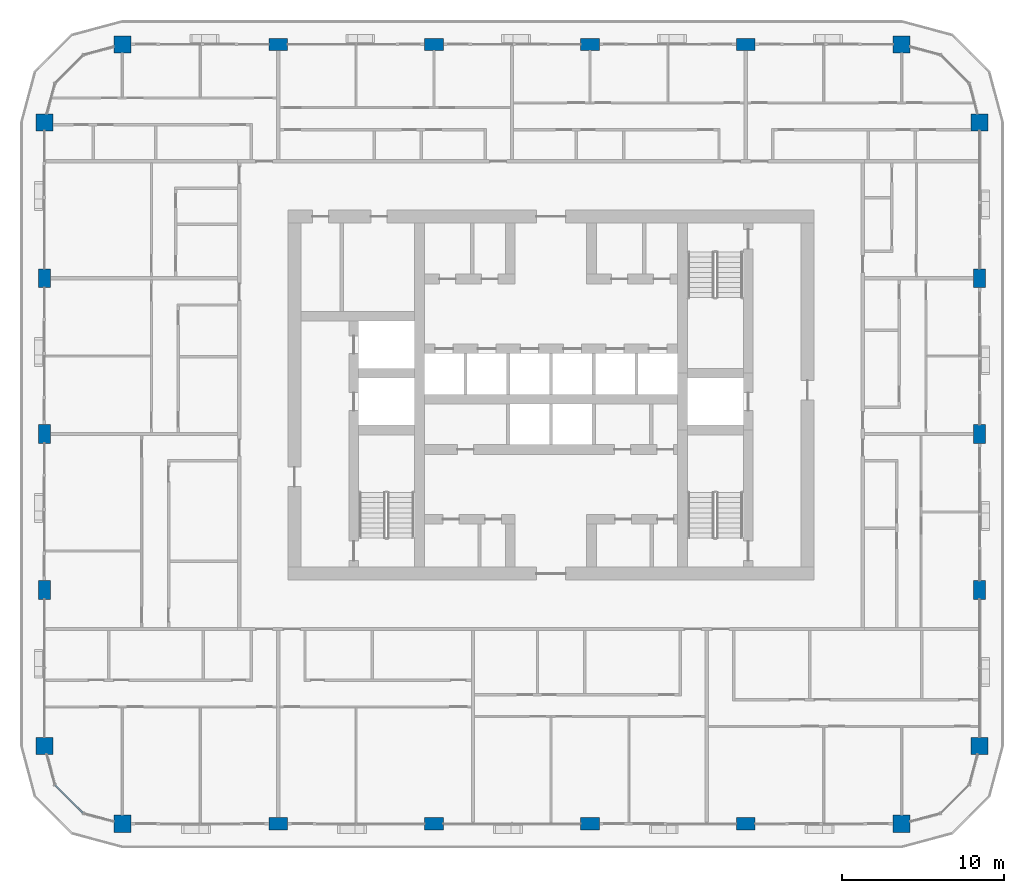
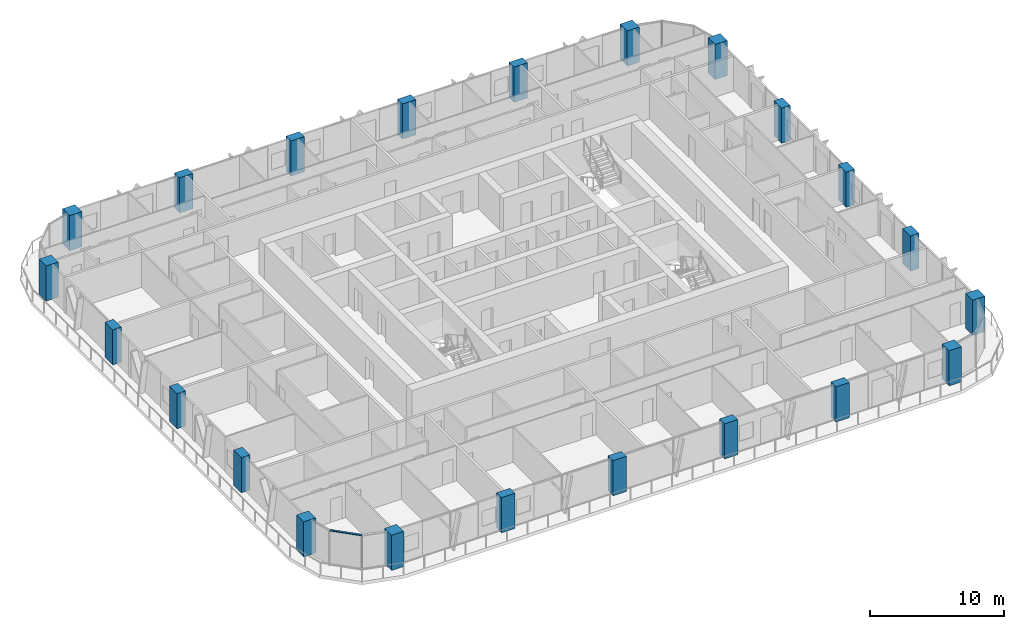
# One storey, part 1 of 22: 22 columns, 1 member, 1 element without a shape of its own.
"""IFC4 building model written with IfcOpenShell, lengths in metres."""

from ifc_helpers import new_model, si_unit, direction, frame, origin, origin_2d, place, context, subcontext, project, spatial, rectangle, extrude, material, layer, layer_set, material_profile, profile_set, type_object, element, aggregate, save


model = new_model("IFC4")

# Units and contexts
model_context = context("Model", 3, precision=1e-05, world=origin(), true_north=direction((0.0, 1.0)))
body_context = subcontext(model_context, "Body", "Model", "MODEL_VIEW")
ifc_project = project(units=[si_unit("LENGTHUNIT", "METRE"), si_unit("AREAUNIT", "SQUARE_METRE"), si_unit("VOLUMEUNIT", "CUBIC_METRE"), si_unit("PLANEANGLEUNIT", "RADIAN"), si_unit("MASSUNIT", "GRAM", prefix="KILO")], contexts=[model_context])

# Site, building, storey
site_placement = place(None, origin())
site = spatial("IfcSite", under=ifc_project, at=site_placement, CompositionType="ELEMENT")
building_placement = place(site_placement, origin())
building = spatial("IfcBuilding", under=site, at=building_placement, Name="Madar Terraces", CompositionType="ELEMENT")
storey_placement = place(building_placement, frame((0.0, 0.0, 149.0)))
storey = spatial("IfcBuildingStorey", under=building, at=storey_placement, Name="L38", CompositionType="ELEMENT", Elevation=149.0)

# Columns
ifc_material_1 = material(Name="Concrete C70/85", Category="concrete")
ifc_material_profile_1 = material_profile(ifc_material_1, rectangle(XDim=1.14990234375, YDim=0.75, at=origin_2d()), Name="CC3 RC 1150x750")
ifc_profile_set_1 = profile_set([ifc_material_profile_1], Name="Concrete C70/85")
column_type_1 = type_object("IfcColumnType", Name="CC3 RC 1150x750", PredefinedType="COLUMN", material=ifc_profile_set_1)
for number, where, z_axis, x_axis, name in (
    (1, (14.39990234375, 0.0, 0.0), (0.0, 0.0, 1.0), (1.0, 0.0, 0.0), "Perimeter column S2"),
    (2, (24.0, 0.0, 0.0), (0.0, 0.0, 1.0), (1.0, 0.0, 0.0), "Perimeter column S3"),
    (3, (33.60009765625, 0.0, 0.0), (0.0, 0.0, 1.0), (1.0, 0.0, 0.0), "Perimeter column S4"),
    (4, (43.199951171875, 0.0, 0.0), (0.0, 0.0, 1.0), (1.0, 0.0, 0.0), "Perimeter column S5"),
    (5, (57.60009765625, 14.39990234375, 0.0), (0.0, 0.0, 1.0), (0.0, 1.0, 0.0), "Perimeter column E2"),
    (6, (57.60009765625, 24.0, 0.0), (0.0, 0.0, 1.0), (0.0, 1.0, 0.0), "Perimeter column E3"),
    (7, (57.60009765625, 33.60009765625, 0.0), (0.0, 0.0, 1.0), (0.0, 1.0, 0.0), "Perimeter column E4"),
    (8, (43.199951171875, 48.0, 0.0), (0.0, 0.0, 1.0), (1.0, 0.0, 0.0), "Perimeter column N2"),
    (9, (33.60009765625, 48.0, 0.0), (0.0, 0.0, 1.0), (1.0, 0.0, 0.0), "Perimeter column N3"),
    (10, (24.0, 48.0, 0.0), (0.0, 0.0, 1.0), (1.0, 0.0, 0.0), "Perimeter column N4"),
    (11, (14.39990234375, 48.0, 0.0), (0.0, 0.0, 1.0), (1.0, 0.0, 0.0), "Perimeter column N5"),
    (12, (0.0, 33.60009765625, 0.0), (0.0, 0.0, 1.0), (0.0, 1.0, 0.0), "Perimeter column W2"),
    (13, (0.0, 24.0, 0.0), (0.0, 0.0, 1.0), (0.0, 1.0, 0.0), "Perimeter column W3"),
    (14, (0.0, 14.39990234375, 0.0), (0.0, 0.0, 1.0), (0.0, 1.0, 0.0), "Perimeter column W4"),
):
    element("IfcColumn", number, at=place(storey_placement, frame(where, z_axis=z_axis, x_axis=x_axis)), inside=storey, type_object=column_type_1, Name=name, PredefinedType="COLUMN", context=body_context, shape_type="SweptSolid", body=[
        extrude(rectangle(XDim=1.14990234375, YDim=0.75, at=origin_2d()), origin(), (0.0, 0.0, 1.0), 3.199951171875),
    ])
ifc_material_2 = material(Name="Concrete C70/85", Category="concrete")
ifc_material_profile_2 = material_profile(ifc_material_2, rectangle(XDim=1.050048828125, YDim=1.050048828125, at=origin_2d()), Name="KC3 RC 1050x1050")
ifc_profile_set_2 = profile_set([ifc_material_profile_2], Name="Concrete C70/85")
column_type_2 = type_object("IfcColumnType", Name="KC3 RC 1050x1050", PredefinedType="COLUMN", material=ifc_profile_set_2)
for number, where, z_axis, x_axis, name in (
    (15, (4.800048828125, 0.0, 0.0), (0.0, 0.0, 1.0), (1.0, 0.0, 0.0), "Perimeter column S1"),
    (16, (52.800048828125, 0.0, 0.0), (0.0, 0.0, 1.0), (1.0, 0.0, 0.0), "Perimeter column S6"),
    (17, (57.60009765625, 4.800048828125, 0.0), (0.0, 0.0, 1.0), (1.0, 0.0, 0.0), "Perimeter column E1"),
    (18, (57.60009765625, 43.199951171875, 0.0), (0.0, 0.0, 1.0), (1.0, 0.0, 0.0), "Perimeter column E5"),
    (19, (52.800048828125, 48.0, 0.0), (0.0, 0.0, 1.0), (1.0, 0.0, 0.0), "Perimeter column N1"),
    (20, (4.800048828125, 48.0, 0.0), (0.0, 0.0, 1.0), (1.0, 0.0, 0.0), "Perimeter column N6"),
    (21, (0.0, 43.199951171875, 0.0), (0.0, 0.0, 1.0), (1.0, 0.0, 0.0), "Perimeter column W1"),
    (22, (0.0, 4.800048828125, 0.0), (0.0, 0.0, 1.0), (1.0, 0.0, 0.0), "Perimeter column W5"),
):
    element("IfcColumn", number, at=place(storey_placement, frame(where, z_axis=z_axis, x_axis=x_axis)), inside=storey, type_object=column_type_2, Name=name, PredefinedType="COLUMN", context=body_context, shape_type="SweptSolid", body=[
        extrude(rectangle(XDim=1.050048828125, YDim=1.050048828125, at=origin_2d()), origin(), (0.0, 0.0, 1.0), 3.199951171875),
    ])

# Curtain wall, member
ifc_material_3 = material(Name="Glass, ceramic frit dark grey, with black aluminium frame", Category="aluminium")
ifc_layer = layer(ifc_material_3, 0.199951171875)
ifc_layer_set = layer_set([ifc_layer], Name="Facade curtain wall, fritted glass")
curtain_wall_type = type_object("IfcCurtainWallType", Name="Facade curtain wall, fritted glass", PredefinedType="NOTDEFINED", material=ifc_layer_set)
curtain_wall_placement = place(storey_placement, origin())
curtain_wall = element("IfcCurtainWall", 23, at=curtain_wall_placement, inside=storey, type_object=curtain_wall_type, Name="Outer skin curtain wall south-west corner", PredefinedType="NOTDEFINED")
ifc_material_4 = material(Name="Aluminium, black anodised", Category="aluminium")
ifc_material_profile_3 = material_profile(ifc_material_4, rectangle(XDim=0.1201171875, YDim=0.06005859375, at=origin_2d()), Name="Facade transom 60x120")
ifc_profile_set_3 = profile_set([ifc_material_profile_3], Name="Aluminium, black anodised")
member_type = type_object("IfcMemberType", Name="Facade transom 60x120", PredefinedType="USERDEFINED", material=ifc_profile_set_3)
member_placement = place(storey_placement, frame((0.664306640625, 2.37890625, 3.169921875), z_axis=(0.707106781187, -0.707106781187, 0.0), x_axis=(0.707106781187, 0.707106781187, 0.0)))
member = element("IfcMember", 24, at=member_placement, type_object=member_type, Name="Transom 2", ObjectType="TRANSOM", PredefinedType="USERDEFINED", context=body_context, shape_type="SweptSolid", body=[
    extrude(rectangle(XDim=0.1201171875, YDim=0.06005859375, at=origin_2d()), origin(), (0.0, 0.0, 1.0), 2.4248046875),
])
aggregate(curtain_wall, [member])

save(model, "model.ifc")
